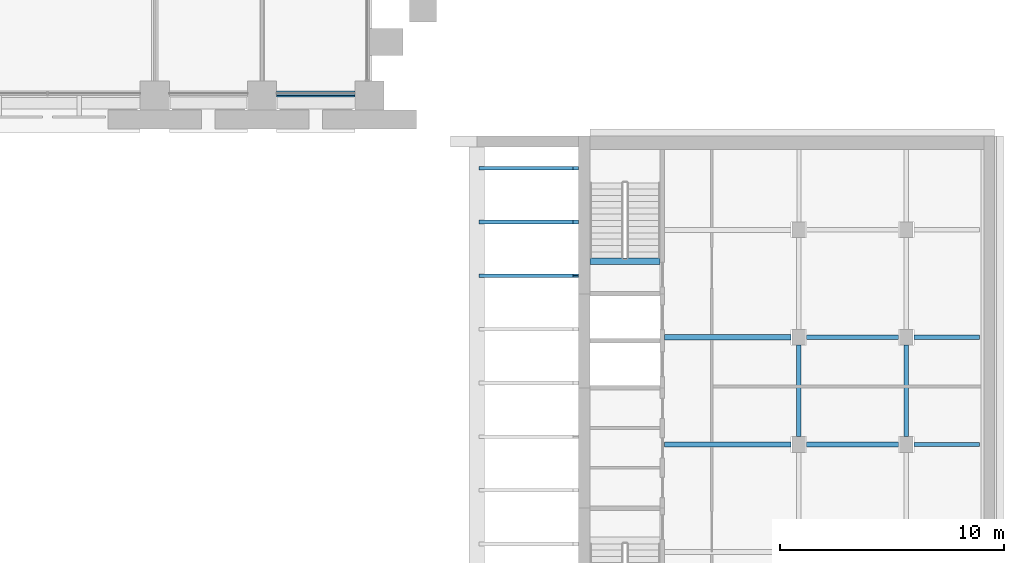
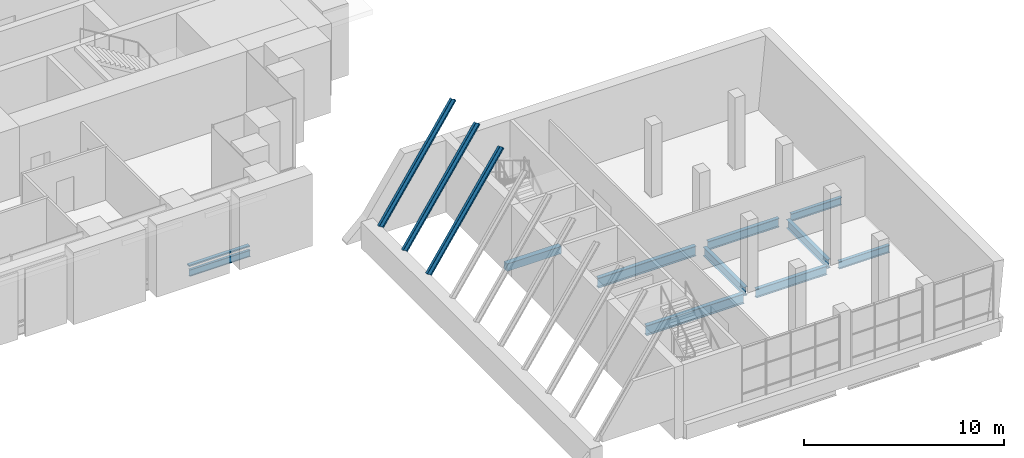
# One storey, part 12 of 32: 13 beams, 1 member, 1 element without a shape of its own.
"""IFC4 building model written with IfcOpenShell, lengths in metres."""

from ifc_helpers import new_model, si_unit, direction, frame, origin, origin_2d, place, context, subcontext, project, spatial, rectangle, i_section, extrude, material, material_profile, profile_set, type_object, element, aggregate, save


model = new_model("IFC4")

# Units and contexts
model_context = context("Model", 3, precision=1e-05, world=origin(), true_north=direction((0.0, 1.0)))
body_context = subcontext(model_context, "Body", "Model", "MODEL_VIEW")
ifc_project = project(units=[si_unit("LENGTHUNIT", "METRE"), si_unit("AREAUNIT", "SQUARE_METRE"), si_unit("VOLUMEUNIT", "CUBIC_METRE"), si_unit("PLANEANGLEUNIT", "RADIAN"), si_unit("MASSUNIT", "GRAM", prefix="KILO")], contexts=[model_context])

# Site, building, storey
site_placement = place(None, origin())
site = spatial("IfcSite", under=ifc_project, at=site_placement, CompositionType="ELEMENT")
building_placement = place(site_placement, origin())
building = spatial("IfcBuilding", under=site, at=building_placement, Name="Baori Bourse Tower", CompositionType="ELEMENT")
storey_placement = place(building_placement, frame((0.0, 0.0, 21.39990234375)))
storey = spatial("IfcBuildingStorey", under=building, at=storey_placement, Name="L03", CompositionType="ELEMENT", Elevation=21.39990234375)

# Curtain wall, member
ifc_material_1 = material(Name="Pale anodised aluminium", Category="aluminium")
curtain_wall_type = type_object("IfcCurtainWallType", Name="CW1 Curtain wall", PredefinedType="NOTDEFINED", material=ifc_material_1)
curtain_wall_placement = place(storey_placement, origin())
curtain_wall = element("IfcCurtainWall", 1, at=curtain_wall_placement, inside=storey, type_object=curtain_wall_type, Name="Curtain wall CW1 L03 15", PredefinedType="NOTDEFINED")
ifc_material_2 = material(Name="Pale anodised aluminium", Category="aluminium")
ifc_material_profile_1 = material_profile(ifc_material_2, rectangle(XDim=0.199951171875, YDim=0.080078125, at=origin_2d()), Name="Transom 80x200")
ifc_profile_set_1 = profile_set([ifc_material_profile_1], Name="Pale anodised aluminium")
member_type = type_object("IfcMemberType", Name="CW1 Curtain wall transom", PredefinedType="USERDEFINED", material=ifc_profile_set_1)
member_placement = place(storey_placement, frame((43.85009765625, 0.10009765625, 0.0400390625), z_axis=(1.0, 0.0, 0.0), x_axis=(0.0, 1.0, 0.0)))
member = element("IfcMember", 2, at=member_placement, type_object=member_type, Name="Curtain wall CW1 sill rail", ObjectType="TRANSOM", PredefinedType="USERDEFINED", context=body_context, shape_type="SweptSolid", body=[
    extrude(rectangle(XDim=0.199951171875, YDim=0.080078125, at=origin_2d()), origin(), (0.0, 0.0, 1.0), 3.5),
])
aggregate(curtain_wall, [member])

# Beams
ifc_material_3 = material(Name="Steel A992 Gr 50", Category="steel")
ifc_material_profile_2 = material_profile(ifc_material_3, i_section(OverallWidth=0.140380859375, OverallDepth=0.40380859375, WebThickness=0.007080078125, FlangeThickness=0.01123046875, at=origin_2d()), Name="W16x31")
ifc_profile_set_2 = profile_set([ifc_material_profile_2], Name="Steel A992 Gr 50")
beam_type_1 = type_object("IfcBeamType", Name="Edge beam W16x31", PredefinedType="BEAM", material=ifc_profile_set_2)
beam_1_placement = place(storey_placement, frame((43.85009765625, 0.0, -0.36181640625), z_axis=(1.0, 0.0, 0.0), x_axis=(0.0, 1.0, 0.0)))
element("IfcBeam", 3, at=beam_1_placement, inside=storey, type_object=beam_type_1, Name="Edge beam L03", PredefinedType="BEAM", context=body_context, shape_type="SweptSolid", body=[
    extrude(i_section(OverallWidth=0.140380859375, OverallDepth=0.40380859375, WebThickness=0.007080078125, FlangeThickness=0.01123046875, at=origin_2d()), origin(), (0.0, 0.0, 1.0), 3.5),
])
ifc_material_4 = material(Name="Concrete f'c 40 MPa", Category="concrete")
ifc_material_profile_3 = material_profile(ifc_material_4, rectangle(XDim=0.300048828125, YDim=0.449951171875, at=origin_2d()), Name="Stair trimmer beam 300x450")
ifc_profile_set_3 = profile_set([ifc_material_profile_3], Name="Concrete f'c 40 MPa")
beam_type_2 = type_object("IfcBeamType", Name="Stair trimmer beam 300x450", PredefinedType="BEAM", material=ifc_profile_set_3)
beam_2_placement = place(storey_placement, frame((61.0, -7.409912109375, -0.385009765625), z_axis=(-1.0, 0.0, 0.0), x_axis=(0.0, -1.0, 0.0)))
element("IfcBeam", 4, at=beam_2_placement, inside=storey, type_object=beam_type_2, Name="wing/L03/Etrimmer/001", PredefinedType="BEAM", context=body_context, shape_type="SweptSolid", body=[
    extrude(rectangle(XDim=0.300048828125, YDim=0.449951171875, at=origin_2d()), origin(), (0.0, 0.0, 1.0), 3.14990234375),
])
ifc_material_5 = material(Name="Steel A992 Gr 50", Category="steel")
ifc_material_profile_4 = material_profile(ifc_material_5, i_section(OverallWidth=0.164794921875, OverallDepth=0.309814453125, WebThickness=0.005859375, FlangeThickness=0.009765625, at=origin_2d()), Name="W12x26")
ifc_profile_set_4 = profile_set([ifc_material_profile_4], Name="Steel A992 Gr 50")
beam_type_3 = type_object("IfcBeamType", Name="Wing beam W12x26", PredefinedType="BEAM", material=ifc_profile_set_4)
for number, where, z_axis, x_axis, name in (
    (5, (53.02099609375, -8.050048828125, 1.212646484375), (0.553370739952, 0.0, 0.832935065995), (0.0, 1.0, 0.0), "wing/L03/purlin/018"),
    (6, (53.02099609375, -5.64990234375, 1.212646484375), (0.553370739952, 0.0, 0.832935065995), (0.0, 1.0, 0.0), "wing/L03/purlin/019"),
    (7, (53.02099609375, -3.25, 1.212646484375), (0.553370739952, 0.0, 0.832935065995), (0.0, 1.0, 0.0), "wing/L03/purlin/020"),
):
    element("IfcBeam", number, at=place(storey_placement, frame(where, z_axis=z_axis, x_axis=x_axis)), inside=storey, type_object=beam_type_3, Name=name, PredefinedType="BEAM", context=body_context, shape_type="SweptSolid", body=[
        extrude(i_section(OverallWidth=0.164794921875, OverallDepth=0.309814453125, WebThickness=0.005859375, FlangeThickness=0.009765625, at=origin_2d()), origin(), (0.0, 0.0, 1.0), 7.58984375),
    ])
ifc_material_6 = material(Name="Steel A992 Gr 50", Category="steel")
ifc_material_profile_5 = material_profile(ifc_material_6, i_section(OverallWidth=0.1904296875, OverallDepth=0.457275390625, WebThickness=0.009033203125, FlangeThickness=0.014404296875, at=origin_2d()), Name="W18x50")
ifc_profile_set_5 = profile_set([ifc_material_profile_5], Name="Steel A992 Gr 50")
beam_type_4 = type_object("IfcBeamType", Name="Wing beam W18x50", PredefinedType="BEAM", material=ifc_profile_set_5)
for number, where, z_axis, x_axis, name in (
    (8, (75.276611328125, -15.60009765625, -0.388427734375), (-1.0, 0.0, 0.0), (0.0, -1.0, 0.0), "wing/L03/Ebeam/007"),
    (9, (75.276611328125, -10.800048828125, -0.388427734375), (-1.0, 0.0, 0.0), (0.0, -1.0, 0.0), "wing/L03/Ebeam/010"),
):
    element("IfcBeam", number, at=place(storey_placement, frame(where, z_axis=z_axis, x_axis=x_axis)), inside=storey, type_object=beam_type_4, Name=name, PredefinedType="BEAM", context=body_context, shape_type="SweptSolid", body=[
        extrude(i_section(OverallWidth=0.1904296875, OverallDepth=0.457275390625, WebThickness=0.009033203125, FlangeThickness=0.014404296875, at=origin_2d()), origin(), (0.0, 0.0, 1.0), 2.926513671875),
    ])
ifc_material_7 = material(Name="Steel A992 Gr 50", Category="steel")
ifc_material_profile_6 = material_profile(ifc_material_7, i_section(OverallWidth=0.209228515625, OverallDepth=0.533447265625, WebThickness=0.01025390625, FlangeThickness=0.015625, at=origin_2d()), Name="W21x62")
ifc_profile_set_6 = profile_set([ifc_material_profile_6], Name="Steel A992 Gr 50")
beam_type_5 = type_object("IfcBeamType", Name="Wing beam W21x62", PredefinedType="BEAM", material=ifc_profile_set_6)
for number, where, z_axis, x_axis, name in (
    (10, (71.64990234375, -15.60009765625, -0.426513671875), (-1.0, 0.0, 0.0), (0.0, -1.0, 0.0), "wing/L03/Ebeam/008"),
    (11, (71.64990234375, -10.800048828125, -0.426513671875), (-1.0, 0.0, 0.0), (0.0, -1.0, 0.0), "wing/L03/Ebeam/011"),
):
    element("IfcBeam", number, at=place(storey_placement, frame(where, z_axis=z_axis, x_axis=x_axis)), inside=storey, type_object=beam_type_5, Name=name, PredefinedType="BEAM", context=body_context, shape_type="SweptSolid", body=[
        extrude(i_section(OverallWidth=0.209228515625, OverallDepth=0.533447265625, WebThickness=0.01025390625, FlangeThickness=0.015625, at=origin_2d()), origin(), (0.0, 0.0, 1.0), 4.099853515625),
    ])
for number, where, z_axis, x_axis, name in (
    (12, (72.0, -15.25, -0.426513671875), (0.0, 1.0, 0.0), (-1.0, 0.0, 0.0), "wing/L03/Ebeamy/003"),
    (13, (67.199951171875, -15.25, -0.426513671875), (0.0, 1.0, 0.0), (-1.0, 0.0, 0.0), "wing/L03/Ebeamy/008"),
):
    element("IfcBeam", number, at=place(storey_placement, frame(where, z_axis=z_axis, x_axis=x_axis)), inside=storey, type_object=beam_type_5, Name=name, PredefinedType="BEAM", context=body_context, shape_type="SweptSolid", body=[
        extrude(i_section(OverallWidth=0.209228515625, OverallDepth=0.533447265625, WebThickness=0.01025390625, FlangeThickness=0.015625, at=origin_2d()), origin(), (0.0, 0.0, 1.0), 4.10009765625),
    ])
ifc_material_8 = material(Name="Steel A992 Gr 50", Category="steel")
ifc_material_profile_7 = material_profile(ifc_material_8, i_section(OverallWidth=0.22900390625, OverallDepth=0.612060546875, WebThickness=0.011962890625, FlangeThickness=0.01953125, at=origin_2d()), Name="W24x84")
ifc_profile_set_7 = profile_set([ifc_material_profile_7], Name="Steel A992 Gr 50")
beam_type_6 = type_object("IfcBeamType", Name="Wing beam W24x84", PredefinedType="BEAM", material=ifc_profile_set_7)
for number, where, z_axis, x_axis, name in (
    (14, (66.85009765625, -15.60009765625, -0.466064453125), (-1.0, 0.0, 0.0), (0.0, -1.0, 0.0), "wing/L03/Ebeam/009"),
    (15, (66.85009765625, -10.800048828125, -0.466064453125), (-1.0, 0.0, 0.0), (0.0, -1.0, 0.0), "wing/L03/Ebeam/012"),
):
    element("IfcBeam", number, at=place(storey_placement, frame(where, z_axis=z_axis, x_axis=x_axis)), inside=storey, type_object=beam_type_6, Name=name, PredefinedType="BEAM", context=body_context, shape_type="SweptSolid", body=[
        extrude(i_section(OverallWidth=0.22900390625, OverallDepth=0.612060546875, WebThickness=0.011962890625, FlangeThickness=0.01953125, at=origin_2d()), origin(), (0.0, 0.0, 1.0), 5.650146484375),
    ])

save(model, "model.ifc")
